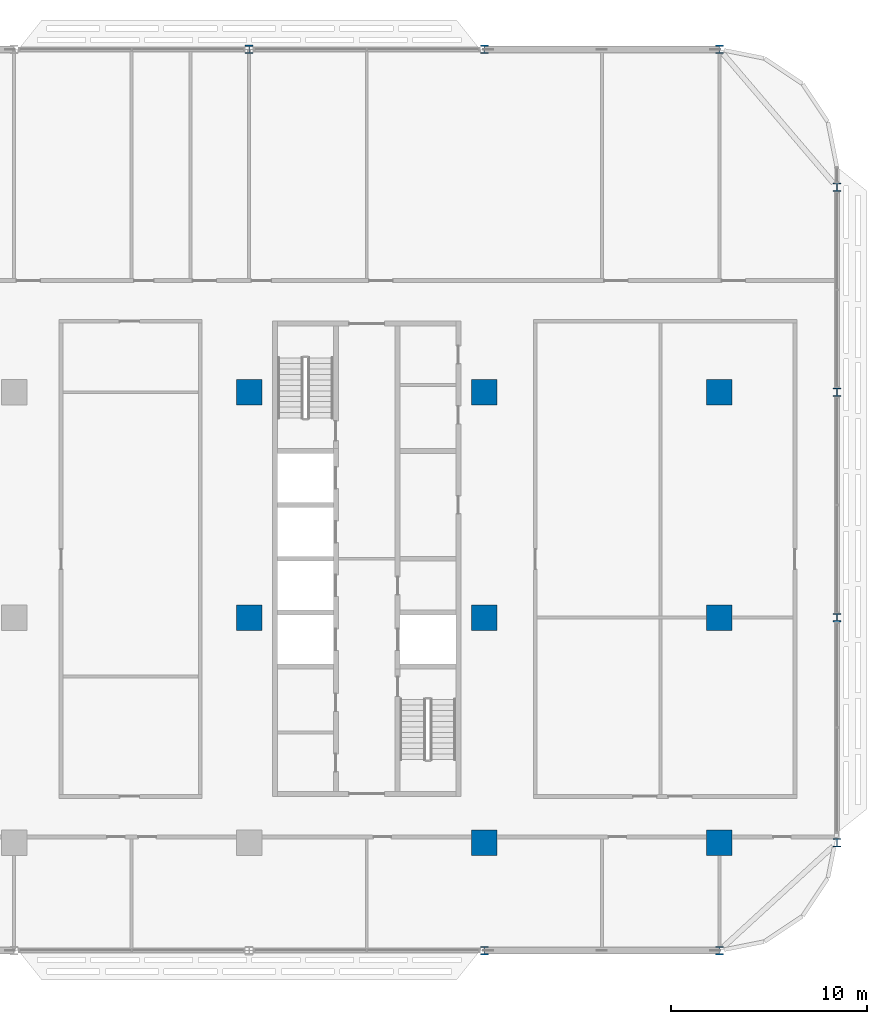
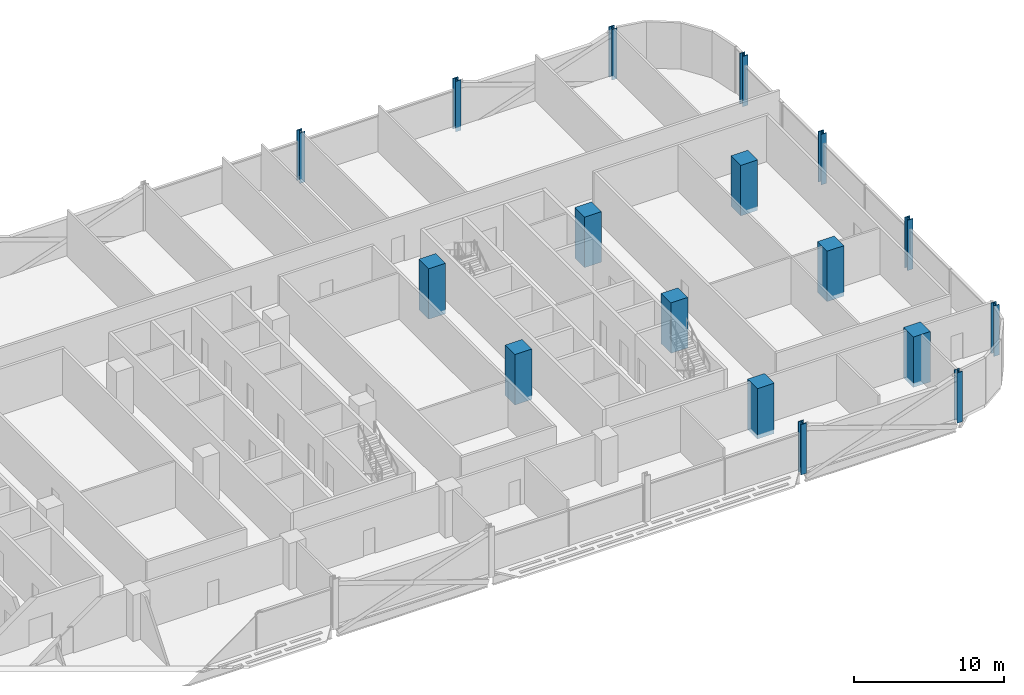
# One storey, part 2 of 28: 17 columns.
"""IFC4 building model written with IfcOpenShell, lengths in metres."""

from ifc_helpers import new_model, si_unit, direction, frame, origin, origin_2d, place, context, subcontext, project, spatial, rectangle, i_section, extrude, material, material_profile, profile_set, type_object, element, save


model = new_model("IFC4")

# Units and contexts
model_context = context("Model", 3, precision=1e-05, world=origin(), true_north=direction((0.0, 1.0)))
body_context = subcontext(model_context, "Body", "Model", "MODEL_VIEW")
ifc_project = project(units=[si_unit("LENGTHUNIT", "METRE"), si_unit("AREAUNIT", "SQUARE_METRE"), si_unit("VOLUMEUNIT", "CUBIC_METRE"), si_unit("PLANEANGLEUNIT", "RADIAN"), si_unit("MASSUNIT", "GRAM", prefix="KILO")], contexts=[model_context])

# Site, building, storey
site_placement = place(None, origin())
site = spatial("IfcSite", under=ifc_project, at=site_placement, CompositionType="ELEMENT")
building_placement = place(site_placement, origin())
building = spatial("IfcBuilding", under=site, at=building_placement, Name="Mahtab Terrace Research Tower", CompositionType="ELEMENT")
storey_placement = place(building_placement, frame((0.0, 0.0, 130.199951171875)))
storey = spatial("IfcBuildingStorey", under=building, at=storey_placement, Name="L30", CompositionType="ELEMENT", Elevation=130.199951171875)

# Columns
ifc_material_1 = material(Name="Concrete C70/85", Category="concrete")
ifc_material_profile_1 = material_profile(ifc_material_1, rectangle(XDim=1.300048828125, YDim=1.300048828125, at=origin_2d()), Name="RC column 1300x1300")
ifc_profile_set_1 = profile_set([ifc_material_profile_1], Name="Concrete C70/85")
column_type_1 = type_object("IfcColumnType", Name="RC column 1300x1300", PredefinedType="COLUMN", material=ifc_profile_set_1)
for number, where, z_axis, x_axis, name in (
    (1, (18.0, 0.0, -0.33984375), (0.0, 0.0, 1.0), (1.0, 0.0, 0.0), "Column RC-6B L30"),
    (2, (18.0, 11.5, -0.33984375), (0.0, 0.0, 1.0), (1.0, 0.0, 0.0), "Column RC-6C L30"),
    (3, (30.0, -11.5, -0.33984375), (0.0, 0.0, 1.0), (1.0, 0.0, 0.0), "Column RC-7A L30"),
    (4, (30.0, 0.0, -0.33984375), (0.0, 0.0, 1.0), (1.0, 0.0, 0.0), "Column RC-7B L30"),
    (5, (30.0, 11.5, -0.33984375), (0.0, 0.0, 1.0), (1.0, 0.0, 0.0), "Column RC-7C L30"),
    (6, (42.0, -11.5, -0.33984375), (0.0, 0.0, 1.0), (1.0, 0.0, 0.0), "Column RC-8A L30"),
    (7, (42.0, 0.0, -0.33984375), (0.0, 0.0, 1.0), (1.0, 0.0, 0.0), "Column RC-8B L30"),
    (8, (42.0, 11.5, -0.33984375), (0.0, 0.0, 1.0), (1.0, 0.0, 0.0), "Column RC-8C L30"),
):
    element("IfcColumn", number, at=place(storey_placement, frame(where, z_axis=z_axis, x_axis=x_axis)), inside=storey, type_object=column_type_1, Name=name, PredefinedType="COLUMN", context=body_context, shape_type="SweptSolid", body=[
        extrude(rectangle(XDim=1.300048828125, YDim=1.300048828125, at=origin_2d()), origin(), (0.0, 0.0, 1.0), 4.099853515625),
    ])
ifc_material_2 = material(Name="Steel ASTM A992 Gr 50", Category="steel")
ifc_material_profile_2 = material_profile(ifc_material_2, i_section(OverallWidth=0.41162109375, OverallDepth=0.434326171875, WebThickness=0.035888671875, FlangeThickness=0.057373046875, at=origin_2d()), Name="W14X311")
ifc_profile_set_2 = profile_set([ifc_material_profile_2], Name="Steel ASTM A992 Gr 50")
column_type_2 = type_object("IfcColumnType", Name="W14x311 column CS14311", PredefinedType="COLUMN", material=ifc_profile_set_2)
for number, where, z_axis, x_axis, name in (
    (9, (42.0, 29.0, -0.33984375), (0.0, 0.0, 1.0), (1.0, 0.0, 0.0), "Column SC-031 L30"),
    (10, (30.0, 29.0, -0.33984375), (0.0, 0.0, 1.0), (1.0, 0.0, 0.0), "Column SC-032 L30"),
    (11, (18.0, 29.0, -0.33984375), (0.0, 0.0, 1.0), (1.0, 0.0, 0.0), "Column SC-033 L30"),
    (12, (30.0, -17.0, -0.33984375), (0.0, 0.0, 1.0), (1.0, 0.0, 0.0), "Column SC-044 L30"),
    (13, (42.0, -17.0, -0.33984375), (0.0, 0.0, 1.0), (1.0, 0.0, 0.0), "Column SC-045 L30"),
    (14, (48.0, -11.5, -0.33984375), (0.0, 0.0, 1.0), (1.0, 0.0, 0.0), "Column SC-020 L30"),
    (15, (48.0, 0.0, -0.33984375), (0.0, 0.0, 1.0), (1.0, 0.0, 0.0), "Column SC-021 L30"),
    (16, (48.0, 11.5, -0.33984375), (0.0, 0.0, 1.0), (1.0, 0.0, 0.0), "Column SC-022 L30"),
    (17, (48.0, 21.9619140625, -0.33984375), (0.0, 0.0, 1.0), (1.0, 0.0, 0.0), "Column SC-050 L30"),
):
    element("IfcColumn", number, at=place(storey_placement, frame(where, z_axis=z_axis, x_axis=x_axis)), inside=storey, type_object=column_type_2, Name=name, PredefinedType="COLUMN", context=body_context, shape_type="SweptSolid", body=[
        extrude(i_section(OverallWidth=0.41162109375, OverallDepth=0.434326171875, WebThickness=0.035888671875, FlangeThickness=0.057373046875, at=origin_2d()), origin(), (0.0, 0.0, 1.0), 4.099853515625),
    ])

save(model, "model.ifc")
